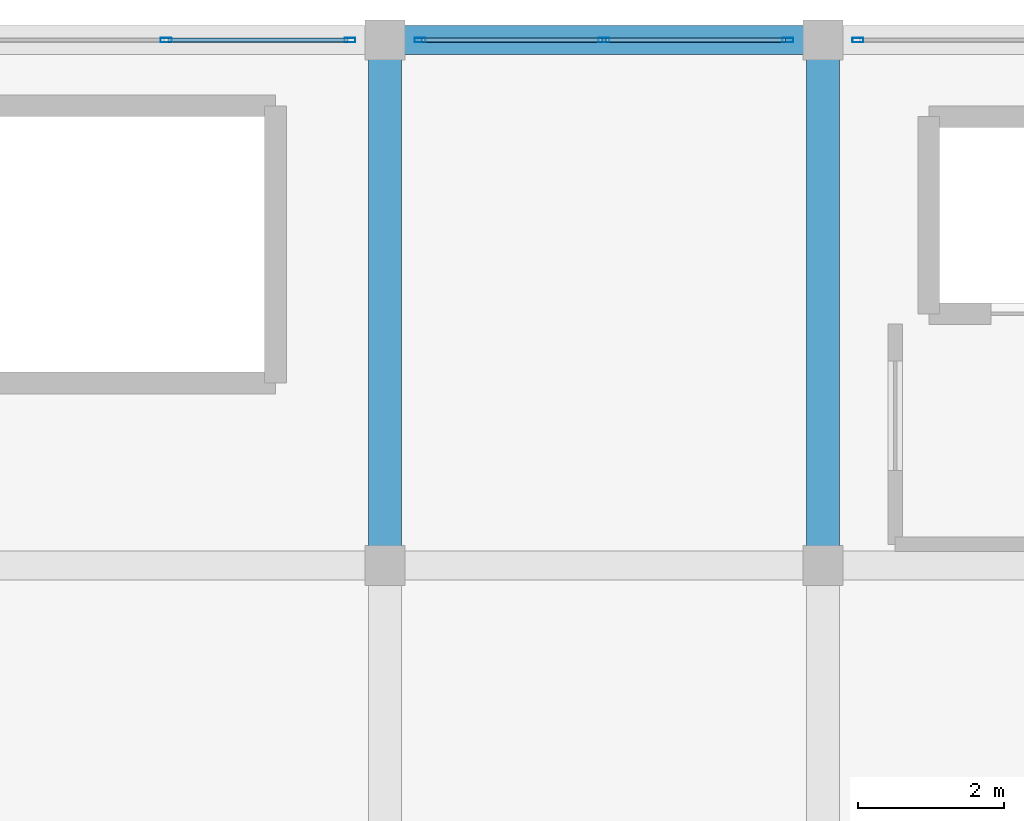
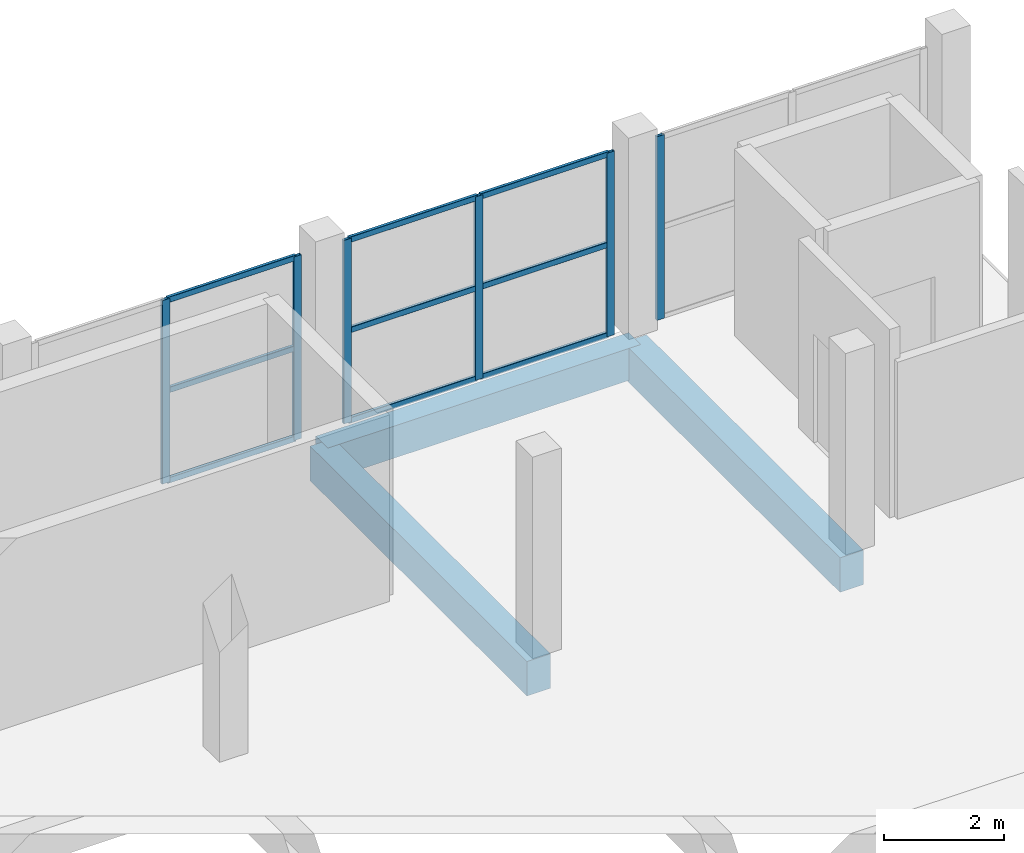
# One storey, part 92 of 127: 15 members, 3 beams, 3 elements without a shape of their own.
"""IFC4 building model written with IfcOpenShell, lengths in metres."""

from ifc_helpers import new_model, si_unit, direction, frame, origin, origin_2d, place, context, subcontext, project, spatial, rectangle, hollow_rectangle, extrude, material, layer, layer_set, material_profile, profile_set, type_object, element, aggregate, save


model = new_model("IFC4")

# Units and contexts
model_context = context("Model", 3, precision=1e-05, world=origin(), true_north=direction((0.0, 1.0)))
body_context = subcontext(model_context, "Body", "Model", "MODEL_VIEW")
ifc_project = project(units=[si_unit("LENGTHUNIT", "METRE"), si_unit("AREAUNIT", "SQUARE_METRE"), si_unit("VOLUMEUNIT", "CUBIC_METRE"), si_unit("PLANEANGLEUNIT", "RADIAN"), si_unit("MASSUNIT", "GRAM", prefix="KILO")], contexts=[model_context])

# Site, building, storey
site_placement = place(None, origin())
site = spatial("IfcSite", under=ifc_project, at=site_placement, CompositionType="ELEMENT")
building_placement = place(site_placement, origin())
building = spatial("IfcBuilding", under=site, at=building_placement, Name="Dunvalen Ferry Terminal", CompositionType="ELEMENT")
storey_placement = place(building_placement, frame((0.0, 0.0, 5.760009765625)))
storey = spatial("IfcBuildingStorey", under=building, at=storey_placement, Name="L01", CompositionType="ELEMENT", Elevation=5.760009765625)

# Curtain wall, members
ifc_material_1 = material(Name="Anodised marine aluminium and solar-control glazing", Category="aluminium")
ifc_layer = layer(ifc_material_1, 0.159912109375, Name="Anodised marine aluminium and solar-control glazing")
ifc_layer_set = layer_set([ifc_layer], Name="Anodised marine aluminium and solar-control glazing")
curtain_wall_type = type_object("IfcCurtainWallType", Name="ENV-CW-SYS-08", PredefinedType="NOTDEFINED", material=ifc_layer_set)
curtain_wall_1_placement = place(storey_placement, origin())
curtain_wall_1 = element("IfcCurtainWall", 1, at=curtain_wall_1_placement, inside=storey, type_object=curtain_wall_type, Name="L01 Curtain Wall CW-BRT2-N-L01-2", PredefinedType="NOTDEFINED")
ifc_material_2 = material(Name="Anodised marine aluminium EN AW-6063 T6", Category="aluminium")
ifc_material_profile_1 = material_profile(ifc_material_2, hollow_rectangle(XDim=0.06005859375, YDim=0.14990234375, WallThickness=0.00341796875, InnerFilletRadius=0.00341796875, OuterFilletRadius=0.007080078125, at=origin_2d()), Name="Anodised marine aluminium EN AW-6063 T6")
ifc_profile_set_1 = profile_set([ifc_material_profile_1], Name="Anodised marine aluminium EN AW-6063 T6")
member_type_1 = type_object("IfcMemberType", Name="ENV-CW-MUL-3", PredefinedType="MULLION", material=ifc_profile_set_1)
member_1_placement = place(storey_placement, frame((129.0, 115.199951171875, 0.0), z_axis=(0.0, 0.0, 1.0), x_axis=(0.0, 1.0, 0.0)))
member_1 = element("IfcMember", 2, at=member_1_placement, type_object=member_type_1, Name="CW-08 mullion 2", PredefinedType="MULLION", context=body_context, shape_type="SweptSolid", body=[
    extrude(hollow_rectangle(XDim=0.06005859375, YDim=0.14990234375, WallThickness=0.00341796875, InnerFilletRadius=0.00341796875, OuterFilletRadius=0.007080078125, at=origin_2d()), origin(), (0.0, 0.0, 1.0), 3.719970703125),
])
member_2_placement = place(storey_placement, frame((131.52001953125, 115.199951171875, 0.0), z_axis=(0.0, 0.0, 1.0), x_axis=(0.0, 1.0, 0.0)))
member_2 = element("IfcMember", 3, at=member_2_placement, type_object=member_type_1, Name="CW-08 mullion 3", PredefinedType="MULLION", context=body_context, shape_type="SweptSolid", body=[
    extrude(hollow_rectangle(XDim=0.06005859375, YDim=0.14990234375, WallThickness=0.00341796875, InnerFilletRadius=0.00341796875, OuterFilletRadius=0.007080078125, at=origin_2d()), origin(), (0.0, 0.0, 1.0), 3.719970703125),
])

curtain_wall_2_placement = place(storey_placement, origin())
curtain_wall_2 = element("IfcCurtainWall", 4, at=curtain_wall_2_placement, inside=storey, type_object=curtain_wall_type, Name="L01 Curtain Wall CW-BRT2-N-L01-3", PredefinedType="NOTDEFINED")
member_3_placement = place(storey_placement, frame((132.47998046875, 115.199951171875, 0.0), z_axis=(0.0, 0.0, 1.0), x_axis=(0.0, 1.0, 0.0)))
member_3 = element("IfcMember", 5, at=member_3_placement, type_object=member_type_1, Name="CW-08 mullion 1", PredefinedType="MULLION", context=body_context, shape_type="SweptSolid", body=[
    extrude(hollow_rectangle(XDim=0.06005859375, YDim=0.14990234375, WallThickness=0.00341796875, InnerFilletRadius=0.00341796875, OuterFilletRadius=0.007080078125, at=origin_2d()), origin(), (0.0, 0.0, 1.0), 3.719970703125),
])
member_4_placement = place(storey_placement, frame((135.0, 115.199951171875, 0.0), z_axis=(0.0, 0.0, 1.0), x_axis=(0.0, 1.0, 0.0)))
member_4 = element("IfcMember", 6, at=member_4_placement, type_object=member_type_1, Name="CW-08 mullion 2", PredefinedType="MULLION", context=body_context, shape_type="SweptSolid", body=[
    extrude(hollow_rectangle(XDim=0.06005859375, YDim=0.14990234375, WallThickness=0.00341796875, InnerFilletRadius=0.00341796875, OuterFilletRadius=0.007080078125, at=origin_2d()), origin(), (0.0, 0.0, 1.0), 3.719970703125),
])
member_5_placement = place(storey_placement, frame((137.52001953125, 115.199951171875, 0.0), z_axis=(0.0, 0.0, 1.0), x_axis=(0.0, 1.0, 0.0)))
member_5 = element("IfcMember", 7, at=member_5_placement, type_object=member_type_1, Name="CW-08 mullion 3", PredefinedType="MULLION", context=body_context, shape_type="SweptSolid", body=[
    extrude(hollow_rectangle(XDim=0.06005859375, YDim=0.14990234375, WallThickness=0.00341796875, InnerFilletRadius=0.00341796875, OuterFilletRadius=0.007080078125, at=origin_2d()), origin(), (0.0, 0.0, 1.0), 3.719970703125),
])

# Curtain wall, member
curtain_wall_3_placement = place(storey_placement, origin())
curtain_wall_3 = element("IfcCurtainWall", 8, at=curtain_wall_3_placement, inside=storey, type_object=curtain_wall_type, Name="L01 Curtain Wall CW-BRT2-N-L01-4", PredefinedType="NOTDEFINED")
member_6_placement = place(storey_placement, frame((138.47998046875, 115.199951171875, 0.0), z_axis=(0.0, 0.0, 1.0), x_axis=(0.0, 1.0, 0.0)))
member_6 = element("IfcMember", 9, at=member_6_placement, type_object=member_type_1, Name="CW-08 mullion 1", PredefinedType="MULLION", context=body_context, shape_type="SweptSolid", body=[
    extrude(hollow_rectangle(XDim=0.06005859375, YDim=0.14990234375, WallThickness=0.00341796875, InnerFilletRadius=0.00341796875, OuterFilletRadius=0.007080078125, at=origin_2d()), origin(), (0.0, 0.0, 1.0), 3.719970703125),
])
aggregate(curtain_wall_3, [member_6])

# Member
ifc_material_profile_2 = material_profile(ifc_material_2, hollow_rectangle(XDim=0.06005859375, YDim=0.114990234375, WallThickness=0.0029296875, InnerFilletRadius=0.0029296875, OuterFilletRadius=0.006103515625, at=origin_2d()), Name="Anodised marine aluminium EN AW-6063 T6")
ifc_profile_set_2 = profile_set([ifc_material_profile_2], Name="Anodised marine aluminium EN AW-6063 T6")
member_type_2 = type_object("IfcMemberType", Name="ENV-CW-TRN-3", PredefinedType="USERDEFINED", material=ifc_profile_set_2)
member_7_placement = place(storey_placement, frame((129.030029296875, 115.199951171875, 0.030029296875), z_axis=(1.0, 0.0, 0.0), x_axis=(0.0, 1.0, 0.0)))
member_7 = element("IfcMember", 10, at=member_7_placement, type_object=member_type_2, Name="CW-08 transom 2.1", ObjectType="TRANSOM", PredefinedType="USERDEFINED", context=body_context, shape_type="SweptSolid", body=[
    extrude(hollow_rectangle(XDim=0.06005859375, YDim=0.114990234375, WallThickness=0.0029296875, InnerFilletRadius=0.0029296875, OuterFilletRadius=0.006103515625, at=origin_2d()), origin(), (0.0, 0.0, 1.0), 2.4599609375),
])

member_8_placement = place(storey_placement, frame((129.030029296875, 115.199951171875, 1.860107421875), z_axis=(1.0, 0.0, 0.0), x_axis=(0.0, 1.0, 0.0)))
member_8 = element("IfcMember", 11, at=member_8_placement, type_object=member_type_2, Name="CW-08 transom 2.2", ObjectType="TRANSOM", PredefinedType="USERDEFINED", context=body_context, shape_type="SweptSolid", body=[
    extrude(hollow_rectangle(XDim=0.06005859375, YDim=0.114990234375, WallThickness=0.0029296875, InnerFilletRadius=0.0029296875, OuterFilletRadius=0.006103515625, at=origin_2d()), origin(), (0.0, 0.0, 1.0), 2.4599609375),
])

member_9_placement = place(storey_placement, frame((129.030029296875, 115.199951171875, 3.68994140625), z_axis=(1.0, 0.0, 0.0), x_axis=(0.0, 1.0, 0.0)))
member_9 = element("IfcMember", 12, at=member_9_placement, type_object=member_type_2, Name="CW-08 transom 2.3", ObjectType="TRANSOM", PredefinedType="USERDEFINED", context=body_context, shape_type="SweptSolid", body=[
    extrude(hollow_rectangle(XDim=0.06005859375, YDim=0.114990234375, WallThickness=0.0029296875, InnerFilletRadius=0.0029296875, OuterFilletRadius=0.006103515625, at=origin_2d()), origin(), (0.0, 0.0, 1.0), 2.4599609375),
])

aggregate(curtain_wall_1, [member_1, member_2, member_7, member_8, member_9])

member_10_placement = place(storey_placement, frame((132.510009765625, 115.199951171875, 0.030029296875), z_axis=(1.0, 0.0, 0.0), x_axis=(0.0, 1.0, 0.0)))
member_10 = element("IfcMember", 13, at=member_10_placement, type_object=member_type_2, Name="CW-08 transom 1.1", ObjectType="TRANSOM", PredefinedType="USERDEFINED", context=body_context, shape_type="SweptSolid", body=[
    extrude(hollow_rectangle(XDim=0.06005859375, YDim=0.114990234375, WallThickness=0.0029296875, InnerFilletRadius=0.0029296875, OuterFilletRadius=0.006103515625, at=origin_2d()), origin(), (0.0, 0.0, 1.0), 2.4599609375),
])

member_11_placement = place(storey_placement, frame((132.510009765625, 115.199951171875, 1.860107421875), z_axis=(1.0, 0.0, 0.0), x_axis=(0.0, 1.0, 0.0)))
member_11 = element("IfcMember", 14, at=member_11_placement, type_object=member_type_2, Name="CW-08 transom 1.2", ObjectType="TRANSOM", PredefinedType="USERDEFINED", context=body_context, shape_type="SweptSolid", body=[
    extrude(hollow_rectangle(XDim=0.06005859375, YDim=0.114990234375, WallThickness=0.0029296875, InnerFilletRadius=0.0029296875, OuterFilletRadius=0.006103515625, at=origin_2d()), origin(), (0.0, 0.0, 1.0), 2.4599609375),
])

member_12_placement = place(storey_placement, frame((132.510009765625, 115.199951171875, 3.68994140625), z_axis=(1.0, 0.0, 0.0), x_axis=(0.0, 1.0, 0.0)))
member_12 = element("IfcMember", 15, at=member_12_placement, type_object=member_type_2, Name="CW-08 transom 1.3", ObjectType="TRANSOM", PredefinedType="USERDEFINED", context=body_context, shape_type="SweptSolid", body=[
    extrude(hollow_rectangle(XDim=0.06005859375, YDim=0.114990234375, WallThickness=0.0029296875, InnerFilletRadius=0.0029296875, OuterFilletRadius=0.006103515625, at=origin_2d()), origin(), (0.0, 0.0, 1.0), 2.4599609375),
])

member_13_placement = place(storey_placement, frame((135.030029296875, 115.199951171875, 0.030029296875), z_axis=(1.0, 0.0, 0.0), x_axis=(0.0, 1.0, 0.0)))
member_13 = element("IfcMember", 16, at=member_13_placement, type_object=member_type_2, Name="CW-08 transom 2.1", ObjectType="TRANSOM", PredefinedType="USERDEFINED", context=body_context, shape_type="SweptSolid", body=[
    extrude(hollow_rectangle(XDim=0.06005859375, YDim=0.114990234375, WallThickness=0.0029296875, InnerFilletRadius=0.0029296875, OuterFilletRadius=0.006103515625, at=origin_2d()), origin(), (0.0, 0.0, 1.0), 2.4599609375),
])

member_14_placement = place(storey_placement, frame((135.030029296875, 115.199951171875, 1.860107421875), z_axis=(1.0, 0.0, 0.0), x_axis=(0.0, 1.0, 0.0)))
member_14 = element("IfcMember", 17, at=member_14_placement, type_object=member_type_2, Name="CW-08 transom 2.2", ObjectType="TRANSOM", PredefinedType="USERDEFINED", context=body_context, shape_type="SweptSolid", body=[
    extrude(hollow_rectangle(XDim=0.06005859375, YDim=0.114990234375, WallThickness=0.0029296875, InnerFilletRadius=0.0029296875, OuterFilletRadius=0.006103515625, at=origin_2d()), origin(), (0.0, 0.0, 1.0), 2.4599609375),
])

member_15_placement = place(storey_placement, frame((135.030029296875, 115.199951171875, 3.68994140625), z_axis=(1.0, 0.0, 0.0), x_axis=(0.0, 1.0, 0.0)))
member_15 = element("IfcMember", 18, at=member_15_placement, type_object=member_type_2, Name="CW-08 transom 2.3", ObjectType="TRANSOM", PredefinedType="USERDEFINED", context=body_context, shape_type="SweptSolid", body=[
    extrude(hollow_rectangle(XDim=0.06005859375, YDim=0.114990234375, WallThickness=0.0029296875, InnerFilletRadius=0.0029296875, OuterFilletRadius=0.006103515625, at=origin_2d()), origin(), (0.0, 0.0, 1.0), 2.4599609375),
])

aggregate(curtain_wall_2, [member_3, member_4, member_5, member_10, member_11, member_12, member_13, member_14, member_15])

# Beams
ifc_material_3 = material(Name="Concrete C40/50", Category="concrete")
ifc_material_profile_3 = material_profile(ifc_material_3, rectangle(XDim=0.39990234375, YDim=0.64990234375, at=origin_2d()), Name="Concrete C40/50")
ifc_profile_set_3 = profile_set([ifc_material_profile_3], Name="Concrete C40/50")
beam_type_1 = type_object("IfcBeamType", Name="STR-BM-RCB650", PredefinedType="BEAM", material=ifc_profile_set_3)
beam_placement = place(storey_placement, frame((132.0, 115.199951171875, -0.56494140625), z_axis=(1.0, 0.0, 0.0), x_axis=(0.0, 1.0, 0.0)))
element("IfcBeam", 19, at=beam_placement, inside=storey, type_object=beam_type_1, Name="L01 V3B2 Primary Beam X-011", PredefinedType="BEAM", context=body_context, shape_type="SweptSolid", body=[
    extrude(rectangle(XDim=0.39990234375, YDim=0.64990234375, at=origin_2d()), origin(), (0.0, 0.0, 1.0), 6.0),
])
ifc_material_profile_4 = material_profile(ifc_material_3, rectangle(XDim=0.449951171875, YDim=0.699951171875, at=origin_2d()), Name="Concrete C40/50")
ifc_profile_set_4 = profile_set([ifc_material_profile_4], Name="Concrete C40/50")
beam_type_2 = type_object("IfcBeamType", Name="STR-BM-RCB700", PredefinedType="BEAM", material=ifc_profile_set_4)
for number, where, z_axis, x_axis, name in (
    (20, (132.0, 108.0, -0.590087890625), (0.0, 1.0, 0.0), (-1.0, 0.0, 0.0), "L01 V3B2 Primary Girder Y-017"),
    (21, (138.0, 108.0, -0.590087890625), (0.0, 1.0, 0.0), (-1.0, 0.0, 0.0), "L01 V3B2 Primary Girder Y-019"),
):
    element("IfcBeam", number, at=place(storey_placement, frame(where, z_axis=z_axis, x_axis=x_axis)), inside=storey, type_object=beam_type_2, Name=name, PredefinedType="BEAM", context=body_context, shape_type="SweptSolid", body=[
        extrude(rectangle(XDim=0.449951171875, YDim=0.699951171875, at=origin_2d()), origin(), (0.0, 0.0, 1.0), 7.199951171875),
    ])

save(model, "model.ifc")
